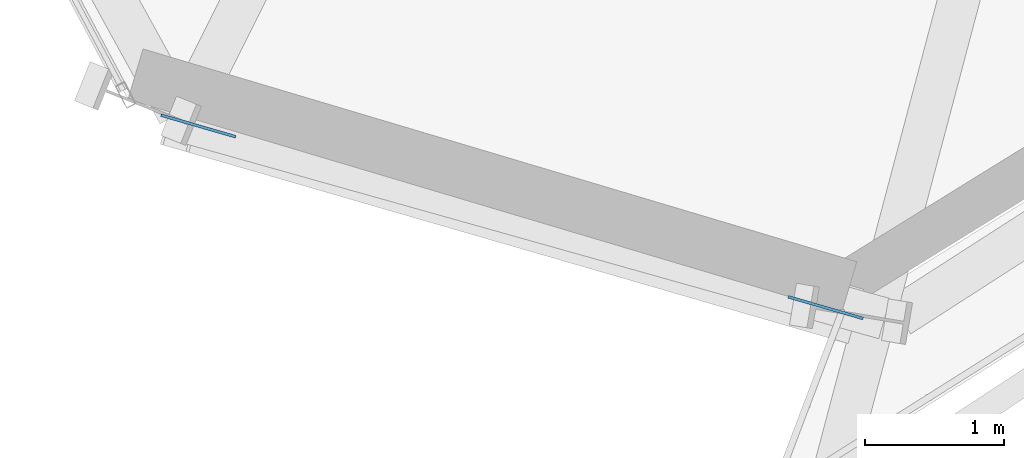
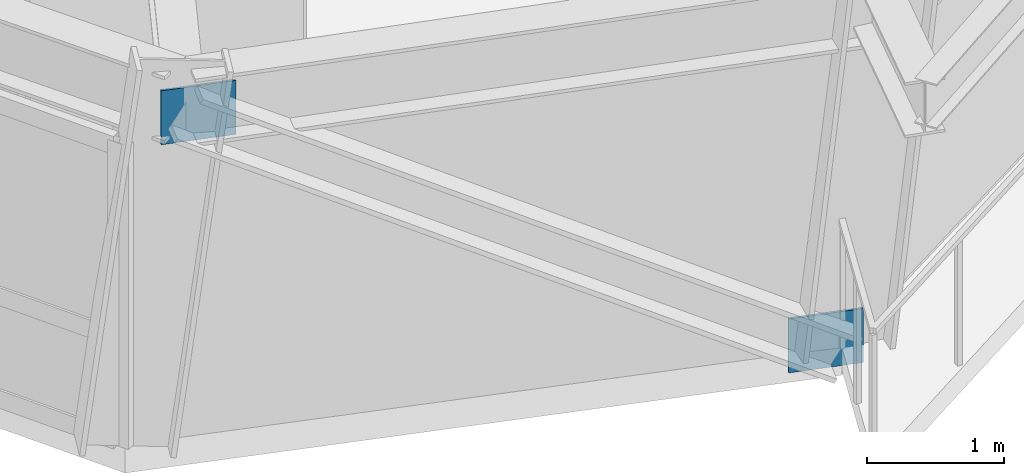
# One storey, part 10 of 21: 2 plates.
"""IFC4 building model written with IfcOpenShell, lengths in metres."""

from ifc_helpers import new_model, si_unit, direction, frame, origin, origin_2d, place, context, subcontext, project, spatial, rectangle, extrude, source, transform, mapped, material, type_object, element, save


model = new_model("IFC4")

# Units and contexts
model_context = context("Model", 3, precision=1e-05, world=origin(), true_north=direction((0.0, 1.0)))
body_context = subcontext(model_context, "Body", "Model", "MODEL_VIEW")
ifc_project = project(units=[si_unit("LENGTHUNIT", "METRE"), si_unit("AREAUNIT", "SQUARE_METRE"), si_unit("VOLUMEUNIT", "CUBIC_METRE"), si_unit("PLANEANGLEUNIT", "RADIAN"), si_unit("MASSUNIT", "GRAM", prefix="KILO")], contexts=[model_context])

# Site, building, storey
site_placement = place(None, origin())
site = spatial("IfcSite", under=ifc_project, at=site_placement, CompositionType="ELEMENT")
building_placement = place(site_placement, origin())
building = spatial("IfcBuilding", under=site, at=building_placement, Name="Olszyna Solenne Hotel", CompositionType="ELEMENT")
storey_placement = place(building_placement, frame((0.0, 0.0, 105.699951171875)))
storey = spatial("IfcBuildingStorey", under=building, at=storey_placement, Name="L27", CompositionType="ELEMENT", Elevation=105.699951171875)

# Plates
ifc_material = material(Name="Steel S355J2", Category="steel")
plate_type = type_object("IfcPlateType", Name="GP-ND2", PredefinedType="USERDEFINED", material=ifc_material)
shared_shape = source(origin(), body_context, "Body", "SweptSolid", [
    extrude(rectangle(XDim=0.56005859375, YDim=0.02001953125, at=origin_2d()), origin(), (0.0, 0.0, 1.0), 0.47998046875),
])
for number, where, z_axis, x_axis, name in (
    (1, (31.3759765625, 2.751220703125, -0.157958984375), (0.0, 0.0, 1.0), (-0.960488224179, 0.278320626641, 0.0), "Brace end connection gusset plate GP-ND2 EP-BR-L27-3-1"),
    (2, (26.8564453125, 4.060302734375, 2.658203125), (0.0, 0.0, 1.0), (-0.960488224179, 0.278320626641, 0.0), "Brace end connection gusset plate GP-ND2 EP-BR-L27-3-2"),
):
    element("IfcPlate", number, at=place(storey_placement, frame(where, z_axis=z_axis, x_axis=x_axis)), inside=storey, type_object=plate_type, Name=name, ObjectType="GUSSET_PLATE", PredefinedType="USERDEFINED", context=body_context, shape_type="MappedRepresentation", body=[
        mapped(shared_shape, transform((0.0, 0.0, 0.0), x_axis=(1.0, 0.0, 0.0), y_axis=(0.0, 1.0, 0.0), z_axis=(0.0, 0.0, 1.0), scale=1.0)),
    ])

save(model, "model.ifc")
